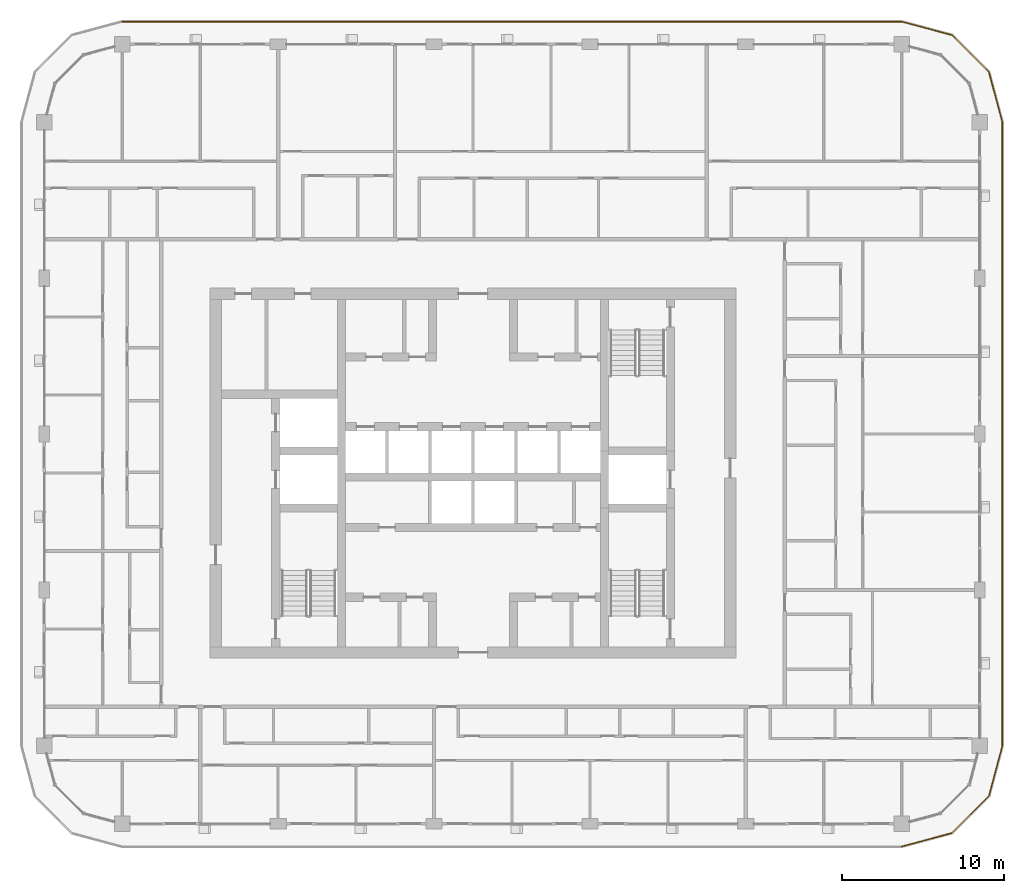
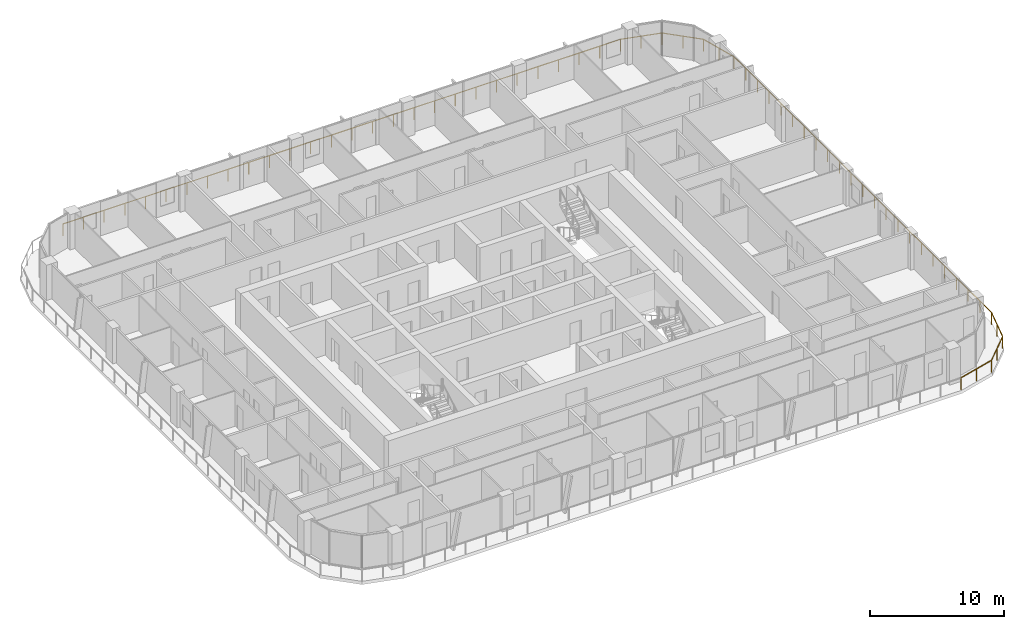
# One storey, part 21 of 23: 1 railing.
"""IFC4 building model written with IfcOpenShell, lengths in metres."""

from ifc_helpers import new_model, si_unit, direction, frame, origin, origin_2d, place, context, subcontext, project, spatial, circle, extrude, material, type_object, element, save


model = new_model("IFC4")

# Units and contexts
model_context = context("Model", 3, precision=1e-05, world=origin(), true_north=direction((0.0, 1.0)))
body_context = subcontext(model_context, "Body", "Model", "MODEL_VIEW")
ifc_project = project(units=[si_unit("LENGTHUNIT", "METRE"), si_unit("AREAUNIT", "SQUARE_METRE"), si_unit("VOLUMEUNIT", "CUBIC_METRE"), si_unit("PLANEANGLEUNIT", "RADIAN"), si_unit("MASSUNIT", "GRAM", prefix="KILO")], contexts=[model_context])

# Site, building, storey
site_placement = place(None, origin())
site = spatial("IfcSite", under=ifc_project, at=site_placement, CompositionType="ELEMENT")
building_placement = place(site_placement, origin())
building = spatial("IfcBuilding", under=site, at=building_placement, Name="Madar Terraces", CompositionType="ELEMENT")
storey_placement = place(building_placement, frame((0.0, 0.0, 226.300048828125)))
storey = spatial("IfcBuildingStorey", under=building, at=storey_placement, Name="L59", CompositionType="ELEMENT", Elevation=226.300048828125)

# Railing
ifc_material = material(Name="Glass, safety glazing, with stainless steel posts", Category="steel")
railing_type = type_object("IfcRailingType", Name="Balcony glass guard 1100", PredefinedType="GUARDRAIL", material=ifc_material)
railing_placement = place(storey_placement, frame((57.60009765625, 3.39990234375, 0.0)))
element("IfcRailing", 1, at=railing_placement, inside=storey, type_object=railing_type, Name="Balcony guard", PredefinedType="GUARDRAIL", context=body_context, shape_type="SweptSolid", body=[
    extrude(circle(Radius=0.02392578125, at=origin_2d()), frame((0.0, 0.0, 1.076171875), z_axis=(0.965909675762, 0.25887931217, 0.0), x_axis=(-0.25887931217, 0.965909675762, 0.0)), (0.0, 0.0, 1.0), 3.209228515625),
    extrude(circle(Radius=0.02392578125, at=origin_2d()), frame((3.099853515625, 0.830810546875, 1.076171875), z_axis=(0.707144815061, 0.707068745266, 0.0), x_axis=(-0.707068745266, 0.707144815061, 0.0)), (0.0, 0.0, 1.0), 3.20947265625),
    extrude(circle(Radius=0.02392578125, at=origin_2d()), frame((5.369384765625, 3.10009765625, 1.076171875), z_axis=(0.258789317819, 0.9659337912, 0.0), x_axis=(-0.9659337912, 0.258789317819, 0.0)), (0.0, 0.0, 1.0), 3.20947265625),
    extrude(circle(Radius=0.02392578125, at=origin_2d()), frame((6.199951171875, 6.2001953125, 1.076171875), z_axis=(0.0, 1.0, 0.0), x_axis=(-1.0, 0.0, 0.0)), (0.0, 0.0, 1.0), 38.39990234375),
    extrude(circle(Radius=0.02392578125, at=origin_2d()), frame((6.199951171875, 44.60009765625, 1.076171875), z_axis=(-0.258789317819, 0.9659337912, 0.0), x_axis=(-0.9659337912, -0.258789317819, 0.0)), (0.0, 0.0, 1.0), 3.20947265625),
    extrude(circle(Radius=0.02392578125, at=origin_2d()), frame((5.369384765625, 47.7001953125, 1.076171875), z_axis=(-0.707144815061, 0.707068745266, 0.0), x_axis=(-0.707068745266, -0.707144815061, 0.0)), (0.0, 0.0, 1.0), 3.20947265625),
    extrude(circle(Radius=0.02392578125, at=origin_2d()), frame((3.099853515625, 49.969482421875, 1.076171875), z_axis=(-0.965928696102, 0.258808334578, 0.0), x_axis=(-0.258808334578, -0.965928696102, 0.0)), (0.0, 0.0, 1.0), 3.209228515625),
    extrude(circle(Radius=0.02392578125, at=origin_2d()), frame((0.0, 50.800048828125, 1.076171875), z_axis=(-1.0, 0.0, 0.0), x_axis=(0.0, -1.0, 0.0)), (0.0, 0.0, 1.0), 48.0),
    extrude(circle(Radius=0.02099609375, at=origin_2d()), origin(), (0.0, 0.0, 1.0), 1.052001953125),
    extrude(circle(Radius=0.02099609375, at=origin_2d()), frame((1.5498046875, 0.41552734375, 0.0)), (0.0, 0.0, 1.0), 1.052001953125),
    extrude(circle(Radius=0.02099609375, at=origin_2d()), frame((3.099853515625, 0.830810546875, 0.0)), (0.0, 0.0, 1.0), 1.052001953125),
    extrude(circle(Radius=0.02099609375, at=origin_2d()), frame((4.234619140625, 1.96533203125, 0.0)), (0.0, 0.0, 1.0), 1.052001953125),
    extrude(circle(Radius=0.02099609375, at=origin_2d()), frame((5.369384765625, 3.10009765625, 0.0)), (0.0, 0.0, 1.0), 1.052001953125),
    extrude(circle(Radius=0.02099609375, at=origin_2d()), frame((5.78466796875, 4.650146484375, 0.0)), (0.0, 0.0, 1.0), 1.052001953125),
    extrude(circle(Radius=0.02099609375, at=origin_2d()), frame((6.199951171875, 6.2001953125, 0.0)), (0.0, 0.0, 1.0), 1.052001953125),
    extrude(circle(Radius=0.02099609375, at=origin_2d()), frame((6.199951171875, 7.945556640625, 0.0)), (0.0, 0.0, 1.0), 1.052001953125),
    extrude(circle(Radius=0.02099609375, at=origin_2d()), frame((6.199951171875, 9.691162109375, 0.0)), (0.0, 0.0, 1.0), 1.052001953125),
    extrude(circle(Radius=0.02099609375, at=origin_2d()), frame((6.199951171875, 11.4365234375, 0.0)), (0.0, 0.0, 1.0), 1.052001953125),
    extrude(circle(Radius=0.02099609375, at=origin_2d()), frame((6.199951171875, 13.181884765625, 0.0)), (0.0, 0.0, 1.0), 1.052001953125),
    extrude(circle(Radius=0.02099609375, at=origin_2d()), frame((6.199951171875, 14.927490234375, 0.0)), (0.0, 0.0, 1.0), 1.052001953125),
    extrude(circle(Radius=0.02099609375, at=origin_2d()), frame((6.199951171875, 16.6728515625, 0.0)), (0.0, 0.0, 1.0), 1.052001953125),
    extrude(circle(Radius=0.02099609375, at=origin_2d()), frame((6.199951171875, 18.41845703125, 0.0)), (0.0, 0.0, 1.0), 1.052001953125),
    extrude(circle(Radius=0.02099609375, at=origin_2d()), frame((6.199951171875, 20.163818359375, 0.0)), (0.0, 0.0, 1.0), 1.052001953125),
    extrude(circle(Radius=0.02099609375, at=origin_2d()), frame((6.199951171875, 21.9091796875, 0.0)), (0.0, 0.0, 1.0), 1.052001953125),
    extrude(circle(Radius=0.02099609375, at=origin_2d()), frame((6.199951171875, 23.65478515625, 0.0)), (0.0, 0.0, 1.0), 1.052001953125),
    extrude(circle(Radius=0.02099609375, at=origin_2d()), frame((6.199951171875, 25.400146484375, 0.0)), (0.0, 0.0, 1.0), 1.052001953125),
    extrude(circle(Radius=0.02099609375, at=origin_2d()), frame((6.199951171875, 27.1455078125, 0.0)), (0.0, 0.0, 1.0), 1.052001953125),
    extrude(circle(Radius=0.02099609375, at=origin_2d()), frame((6.199951171875, 28.89111328125, 0.0)), (0.0, 0.0, 1.0), 1.052001953125),
    extrude(circle(Radius=0.02099609375, at=origin_2d()), frame((6.199951171875, 30.636474609375, 0.0)), (0.0, 0.0, 1.0), 1.052001953125),
    extrude(circle(Radius=0.02099609375, at=origin_2d()), frame((6.199951171875, 32.3818359375, 0.0)), (0.0, 0.0, 1.0), 1.052001953125),
    extrude(circle(Radius=0.02099609375, at=origin_2d()), frame((6.199951171875, 34.12744140625, 0.0)), (0.0, 0.0, 1.0), 1.052001953125),
    extrude(circle(Radius=0.02099609375, at=origin_2d()), frame((6.199951171875, 35.872802734375, 0.0)), (0.0, 0.0, 1.0), 1.052001953125),
    extrude(circle(Radius=0.02099609375, at=origin_2d()), frame((6.199951171875, 37.618408203125, 0.0)), (0.0, 0.0, 1.0), 1.052001953125),
    extrude(circle(Radius=0.02099609375, at=origin_2d()), frame((6.199951171875, 39.36376953125, 0.0)), (0.0, 0.0, 1.0), 1.052001953125),
    extrude(circle(Radius=0.02099609375, at=origin_2d()), frame((6.199951171875, 41.109130859375, 0.0)), (0.0, 0.0, 1.0), 1.052001953125),
    extrude(circle(Radius=0.02099609375, at=origin_2d()), frame((6.199951171875, 42.854736328125, 0.0)), (0.0, 0.0, 1.0), 1.052001953125),
    extrude(circle(Radius=0.02099609375, at=origin_2d()), frame((6.199951171875, 44.60009765625, 0.0)), (0.0, 0.0, 1.0), 1.052001953125),
    extrude(circle(Radius=0.02099609375, at=origin_2d()), frame((5.78466796875, 46.150146484375, 0.0)), (0.0, 0.0, 1.0), 1.052001953125),
    extrude(circle(Radius=0.02099609375, at=origin_2d()), frame((5.369384765625, 47.7001953125, 0.0)), (0.0, 0.0, 1.0), 1.052001953125),
    extrude(circle(Radius=0.02099609375, at=origin_2d()), frame((4.234619140625, 48.8349609375, 0.0)), (0.0, 0.0, 1.0), 1.052001953125),
    extrude(circle(Radius=0.02099609375, at=origin_2d()), frame((3.099853515625, 49.969482421875, 0.0)), (0.0, 0.0, 1.0), 1.052001953125),
    extrude(circle(Radius=0.02099609375, at=origin_2d()), frame((1.5498046875, 50.384765625, 0.0)), (0.0, 0.0, 1.0), 1.052001953125),
    extrude(circle(Radius=0.02099609375, at=origin_2d()), frame((0.0, 50.800048828125, 0.0)), (0.0, 0.0, 1.0), 1.052001953125),
    extrude(circle(Radius=0.02099609375, at=origin_2d()), frame((-1.77783203125, 50.800048828125, 0.0)), (0.0, 0.0, 1.0), 1.052001953125),
    extrude(circle(Radius=0.02099609375, at=origin_2d()), frame((-3.5556640625, 50.800048828125, 0.0)), (0.0, 0.0, 1.0), 1.052001953125),
    extrude(circle(Radius=0.02099609375, at=origin_2d()), frame((-5.333251953125, 50.800048828125, 0.0)), (0.0, 0.0, 1.0), 1.052001953125),
    extrude(circle(Radius=0.02099609375, at=origin_2d()), frame((-7.111083984375, 50.800048828125, 0.0)), (0.0, 0.0, 1.0), 1.052001953125),
    extrude(circle(Radius=0.02099609375, at=origin_2d()), frame((-8.888916015625, 50.800048828125, 0.0)), (0.0, 0.0, 1.0), 1.052001953125),
    extrude(circle(Radius=0.02099609375, at=origin_2d()), frame((-10.666748046875, 50.800048828125, 0.0)), (0.0, 0.0, 1.0), 1.052001953125),
    extrude(circle(Radius=0.02099609375, at=origin_2d()), frame((-12.4443359375, 50.800048828125, 0.0)), (0.0, 0.0, 1.0), 1.052001953125),
    extrude(circle(Radius=0.02099609375, at=origin_2d()), frame((-14.22216796875, 50.800048828125, 0.0)), (0.0, 0.0, 1.0), 1.052001953125),
    extrude(circle(Radius=0.02099609375, at=origin_2d()), frame((-16.0, 50.800048828125, 0.0)), (0.0, 0.0, 1.0), 1.052001953125),
    extrude(circle(Radius=0.02099609375, at=origin_2d()), frame((-17.77783203125, 50.800048828125, 0.0)), (0.0, 0.0, 1.0), 1.052001953125),
    extrude(circle(Radius=0.02099609375, at=origin_2d()), frame((-19.5556640625, 50.800048828125, 0.0)), (0.0, 0.0, 1.0), 1.052001953125),
    extrude(circle(Radius=0.02099609375, at=origin_2d()), frame((-21.333251953125, 50.800048828125, 0.0)), (0.0, 0.0, 1.0), 1.052001953125),
    extrude(circle(Radius=0.02099609375, at=origin_2d()), frame((-23.111083984375, 50.800048828125, 0.0)), (0.0, 0.0, 1.0), 1.052001953125),
    extrude(circle(Radius=0.02099609375, at=origin_2d()), frame((-24.888916015625, 50.800048828125, 0.0)), (0.0, 0.0, 1.0), 1.052001953125),
    extrude(circle(Radius=0.02099609375, at=origin_2d()), frame((-26.666748046875, 50.800048828125, 0.0)), (0.0, 0.0, 1.0), 1.052001953125),
    extrude(circle(Radius=0.02099609375, at=origin_2d()), frame((-28.4443359375, 50.800048828125, 0.0)), (0.0, 0.0, 1.0), 1.052001953125),
    extrude(circle(Radius=0.02099609375, at=origin_2d()), frame((-30.22216796875, 50.800048828125, 0.0)), (0.0, 0.0, 1.0), 1.052001953125),
    extrude(circle(Radius=0.02099609375, at=origin_2d()), frame((-32.0, 50.800048828125, 0.0)), (0.0, 0.0, 1.0), 1.052001953125),
    extrude(circle(Radius=0.02099609375, at=origin_2d()), frame((-33.77783203125, 50.800048828125, 0.0)), (0.0, 0.0, 1.0), 1.052001953125),
    extrude(circle(Radius=0.02099609375, at=origin_2d()), frame((-35.5556640625, 50.800048828125, 0.0)), (0.0, 0.0, 1.0), 1.052001953125),
    extrude(circle(Radius=0.02099609375, at=origin_2d()), frame((-37.333251953125, 50.800048828125, 0.0)), (0.0, 0.0, 1.0), 1.052001953125),
    extrude(circle(Radius=0.02099609375, at=origin_2d()), frame((-39.111083984375, 50.800048828125, 0.0)), (0.0, 0.0, 1.0), 1.052001953125),
    extrude(circle(Radius=0.02099609375, at=origin_2d()), frame((-40.888916015625, 50.800048828125, 0.0)), (0.0, 0.0, 1.0), 1.052001953125),
    extrude(circle(Radius=0.02099609375, at=origin_2d()), frame((-42.666748046875, 50.800048828125, 0.0)), (0.0, 0.0, 1.0), 1.052001953125),
    extrude(circle(Radius=0.02099609375, at=origin_2d()), frame((-44.4443359375, 50.800048828125, 0.0)), (0.0, 0.0, 1.0), 1.052001953125),
    extrude(circle(Radius=0.02099609375, at=origin_2d()), frame((-46.22216796875, 50.800048828125, 0.0)), (0.0, 0.0, 1.0), 1.052001953125),
    extrude(circle(Radius=0.02099609375, at=origin_2d()), frame((-48.0, 50.800048828125, 0.0)), (0.0, 0.0, 1.0), 1.052001953125),
])

save(model, "model.ifc")
